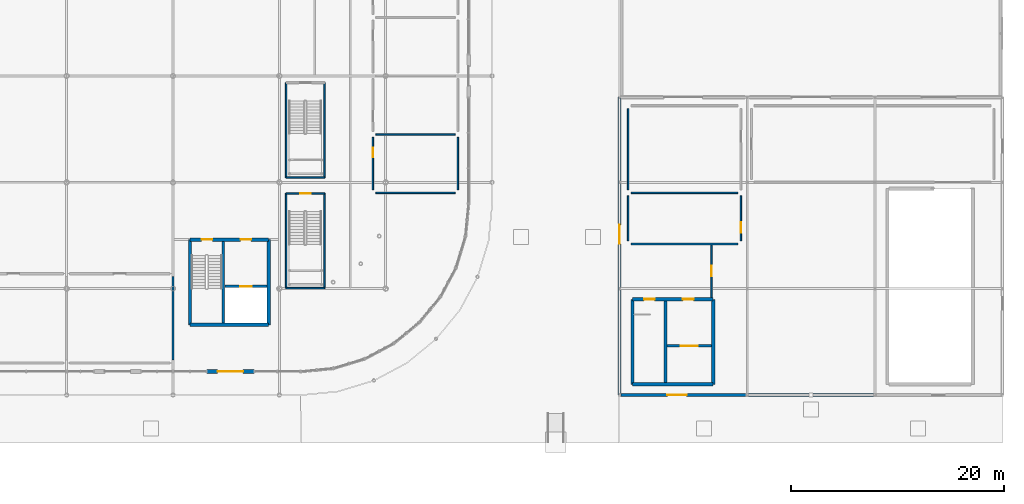
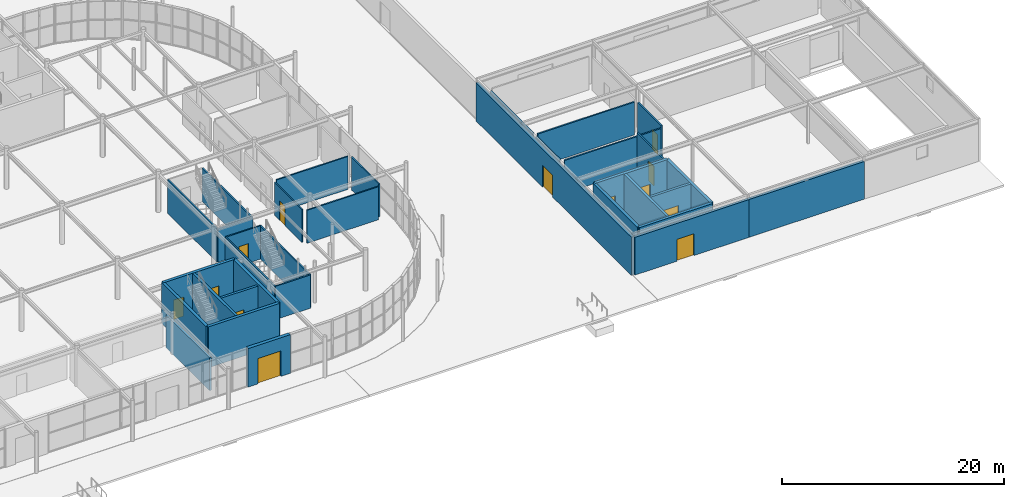
# One storey, part 93 of 119: 34 walls, 13 doors, 13 openings.
"""IFC4 building model written with IfcOpenShell, lengths in metres."""

from ifc_helpers import new_model, si_unit, derived_unit, direction, frame, frame_2d, origin, place, context, subcontext, project, spatial, rectangle, extrude, material, layer, layer_set, type_object, element, fill, save


model = new_model("IFC4")

# Units and contexts
model_context = context("Model", 3, precision=1e-05, world=origin(), true_north=direction((0.0, 1.0)))
body_context = subcontext(model_context, "Body", "Model", "MODEL_VIEW")
ifc_project = project(units=[si_unit("LENGTHUNIT", "METRE"), si_unit("AREAUNIT", "SQUARE_METRE"), si_unit("VOLUMEUNIT", "CUBIC_METRE"), si_unit("PLANEANGLEUNIT", "RADIAN"), si_unit("MASSUNIT", "GRAM", prefix="KILO"), derived_unit("THERMALTRANSMITTANCEUNIT", [(si_unit("POWERUNIT", "WATT"), 1), (si_unit("LENGTHUNIT", "METRE"), -2), (si_unit("THERMODYNAMICTEMPERATUREUNIT", "KELVIN"), -1)])], contexts=[model_context])

# Site, building, storey
site_placement = place(None, origin())
site = spatial("IfcSite", under=ifc_project, at=site_placement, CompositionType="ELEMENT")
building_placement = place(site_placement, origin())
building = spatial("IfcBuilding", under=site, at=building_placement, Name="Cinnabar Yard Market Hall", CompositionType="ELEMENT")
storey_placement = place(building_placement, origin())
storey = spatial("IfcBuildingStorey", under=building, at=storey_placement, Name="L00", CompositionType="ELEMENT", Elevation=0.0)

# Walls
ifc_material_1 = material(Name="Moisture-resistant tiled service wall")
ifc_layer_1 = layer(ifc_material_1, 0.139892578125)
ifc_layer_set_1 = layer_set([ifc_layer_1], Name="Moisture-resistant tiled service wall")
wall_type_1 = type_object("IfcWallType", Name="WL-PT140", PredefinedType="PLUMBINGWALL", material=ifc_layer_set_1)
wall_1_placement = place(storey_placement, frame((155.080078125, 33.0, 0.0), z_axis=(0.0, 0.0, 1.0), x_axis=(1.0, 0.0, 0.0)))
element("IfcWall", 1, at=wall_1_placement, inside=storey, type_object=wall_type_1, Name="Partition Market Hall Male WC south", PredefinedType="PLUMBINGWALL", context=body_context, shape_type="SweptSolid", body=[
    extrude(rectangle(XDim=7.43994140625, YDim=0.139892578125, at=frame_2d((3.719970703125, 0.0), x_axis=(1.0, 0.0))), origin(), (0.0, 0.0, 1.0), 3.6201171875),
])
wall_2_placement = place(storey_placement, frame((162.800048828125, 33.280029296875, 0.0), z_axis=(0.0, 0.0, 1.0), x_axis=(0.0, 1.0, 0.0)))
element("IfcWall", 2, at=wall_2_placement, inside=storey, type_object=wall_type_1, Name="Partition Market Hall Male WC east", PredefinedType="PLUMBINGWALL", context=body_context, shape_type="SweptSolid", body=[
    extrude(rectangle(XDim=4.93994140625, YDim=0.139892578125, at=frame_2d((2.469970703125, 0.0), x_axis=(1.0, 0.0))), origin(), (0.0, 0.0, 1.0), 3.6201171875),
])
wall_3_placement = place(storey_placement, frame((162.52001953125, 38.5, 0.0), z_axis=(0.0, 0.0, 1.0), x_axis=(-1.0, 0.0, 0.0)))
element("IfcWall", 3, at=wall_3_placement, inside=storey, type_object=wall_type_1, Name="Partition Market Hall Male WC north", PredefinedType="PLUMBINGWALL", context=body_context, shape_type="SweptSolid", body=[
    extrude(rectangle(XDim=7.43994140625, YDim=0.139892578125, at=frame_2d((3.719970703125, 0.0), x_axis=(1.0, 0.0))), origin(), (0.0, 0.0, 1.0), 3.6201171875),
])

# Wall, opening, door
wall_4_placement = place(storey_placement, frame((154.800048828125, 38.219970703125, 0.0), z_axis=(0.0, 0.0, 1.0), x_axis=(0.0, -1.0, 0.0)))
wall_4 = element("IfcWall", 4, at=wall_4_placement, inside=storey, type_object=wall_type_1, Name="Partition Market Hall Male WC west", PredefinedType="PLUMBINGWALL", context=body_context, shape_type="SweptSolid", body=[
    extrude(rectangle(XDim=4.93994140625, YDim=0.139892578125, at=frame_2d((2.469970703125, 0.0), x_axis=(1.0, 0.0))), origin(), (0.0, 0.0, 1.0), 3.6201171875),
])
opening_1_placement = place(wall_4_placement, frame((0.96484375, 0.0, 0.0)))
opening_1 = element("IfcOpeningElement", 5, at=opening_1_placement, cuts=wall_4, Name="Opening ID-121", PredefinedType="OPENING", context=body_context, shape_type="SweptSolid", body=[
    extrude(rectangle(XDim=0.919921875, YDim=2.14990234375, at=frame_2d((0.4599609375, 1.074951171875), x_axis=(1.0, 0.0))), frame((0.0, 0.079833984375, 0.0), z_axis=(0.0, -1.0, 0.0), x_axis=(1.0, 0.0, 0.0)), (0.0, 0.0, 1.0), 0.159912109375),
])
ifc_material_2 = material(Name="Solid-core spotted gum timber", Category="wood")
door_type_1 = type_object("IfcDoorType", Name="DR-D07", OperationType="NOTDEFINED", PredefinedType="DOOR", material=ifc_material_2)
door_1_placement = place(opening_1_placement, origin())
door_1 = element("IfcDoor", 6, at=door_1_placement, inside=storey, type_object=door_type_1, Name="Interior Door ID-121", OperationType="SINGLE_SWING_RIGHT", OverallHeight=2.14990234375, OverallWidth=0.919921875, PredefinedType="DOOR", context=body_context, shape_type="SweptSolid", body=[
    extrude(rectangle(XDim=0.919921875, YDim=2.14990234375, at=frame_2d((0.4599609375, 1.074951171875), x_axis=(1.0, 0.0))), frame((0.0, 0.02490234375, 0.0), z_axis=(0.0, -1.0, 0.0), x_axis=(1.0, 0.0, 0.0)), (0.0, 0.0, 1.0), 0.050048828125),
])
fill(opening_1, door_1)

# Walls
ifc_material_3 = material(Name="Fire-rated steel-stud plasterboard", Category="steel")
ifc_layer_2 = layer(ifc_material_3, 0.14990234375)
ifc_layer_set_2 = layer_set([ifc_layer_2], Name="Fire-rated steel-stud plasterboard")
wall_type_2 = type_object("IfcWallType", Name="WL-PT150", PredefinedType="PARTITIONING", material=ifc_layer_set_2)
for number, where, z_axis, x_axis, name in (
    (7, (146.639892578125, 43.360107421875, 0.0), (0.0, 0.0, 1.0), (0.0, -1.0, 0.0), "Stair ST-F2 Shaft Wall W L00"),
    (8, (150.260009765625, 34.43994140625, 0.0), (0.0, 0.0, 1.0), (0.0, 1.0, 0.0), "Stair ST-F2 Shaft Wall E L00"),
):
    element("IfcWall", number, at=place(storey_placement, frame(where, z_axis=z_axis, x_axis=x_axis)), inside=storey, type_object=wall_type_2, Name=name, PredefinedType="PARTITIONING", context=body_context, shape_type="SweptSolid", body=[
        extrude(rectangle(XDim=8.920166015625, YDim=0.14990234375, at=frame_2d((4.4599609375, 0.0), x_axis=(1.0, 0.0))), origin(), (0.0, 0.0, 1.0), 3.659912109375),
    ])
wall_5_placement = place(storey_placement, frame((146.639892578125, 34.43994140625, 0.0), z_axis=(0.0, 0.0, 1.0), x_axis=(1.0, 0.0, 0.0)))
element("IfcWall", 9, at=wall_5_placement, inside=storey, type_object=wall_type_2, Name="Stair ST-F2 Shaft Wall S L00", PredefinedType="PARTITIONING", context=body_context, shape_type="SweptSolid", body=[
    extrude(rectangle(XDim=3.6201171875, YDim=0.14990234375, at=frame_2d((1.81005859375, 0.0), x_axis=(1.0, 0.0))), origin(), (0.0, 0.0, 1.0), 3.659912109375),
])
for number, where, z_axis, x_axis, name in (
    (10, (146.639892578125, 32.9599609375, 0.0), (0.0, 0.0, 1.0), (0.0, -1.0, 0.0), "Stair ST-F5 Shaft Wall W L00"),
    (11, (150.260009765625, 24.0400390625, 0.0), (0.0, 0.0, 1.0), (0.0, 1.0, 0.0), "Stair ST-F5 Shaft Wall E L00"),
):
    element("IfcWall", number, at=place(storey_placement, frame(where, z_axis=z_axis, x_axis=x_axis)), inside=storey, type_object=wall_type_2, Name=name, PredefinedType="PARTITIONING", context=body_context, shape_type="SweptSolid", body=[
        extrude(rectangle(XDim=8.919921875, YDim=0.14990234375, at=frame_2d((4.4599609375, 0.0), x_axis=(1.0, 0.0))), origin(), (0.0, 0.0, 1.0), 3.659912109375),
    ])
wall_6_placement = place(storey_placement, frame((146.639892578125, 24.0400390625, 0.0), z_axis=(0.0, 0.0, 1.0), x_axis=(1.0, 0.0, 0.0)))
element("IfcWall", 12, at=wall_6_placement, inside=storey, type_object=wall_type_2, Name="Stair ST-F5 Shaft Wall S L00", PredefinedType="PARTITIONING", context=body_context, shape_type="SweptSolid", body=[
    extrude(rectangle(XDim=3.6201171875, YDim=0.14990234375, at=frame_2d((1.81005859375, 0.0), x_axis=(1.0, 0.0))), origin(), (0.0, 0.0, 1.0), 3.659912109375),
])

# Wall, opening, door
wall_7_placement = place(storey_placement, frame((150.260009765625, 32.9599609375, 0.0), z_axis=(0.0, 0.0, 1.0), x_axis=(-1.0, 0.0, 0.0)))
wall_7 = element("IfcWall", 13, at=wall_7_placement, inside=storey, type_object=wall_type_2, Name="Stair ST-F5 Shaft Wall N L00", PredefinedType="PARTITIONING", context=body_context, shape_type="SweptSolid", body=[
    extrude(rectangle(XDim=3.6201171875, YDim=0.14990234375, at=frame_2d((1.81005859375, 0.0), x_axis=(1.0, 0.0))), origin(), (0.0, 0.0, 1.0), 3.659912109375),
])
opening_2_placement = place(wall_7_placement, frame((1.31005859375, 0.0, 0.0)))
opening_2 = element("IfcOpeningElement", 14, at=opening_2_placement, cuts=wall_7, Name="Opening CD-078", PredefinedType="OPENING", context=body_context, shape_type="SweptSolid", body=[
    extrude(rectangle(XDim=1.0, YDim=2.14990234375, at=frame_2d((0.5, 1.074951171875), x_axis=(1.0, 0.0))), frame((0.0, 0.0849609375, 0.0), z_axis=(0.0, -1.0, 0.0), x_axis=(1.0, 0.0, 0.0)), (0.0, 0.0, 1.0), 0.169921875),
])
door_type_2 = type_object("IfcDoorType", Name="DR-D05", OperationType="NOTDEFINED", PredefinedType="DOOR", material=ifc_material_2)
door_2_placement = place(opening_2_placement, origin())
door_2 = element("IfcDoor", 15, at=door_2_placement, inside=storey, type_object=door_type_2, Name="Stair Door CD-078", OperationType="SINGLE_SWING_LEFT", OverallHeight=2.14990234375, OverallWidth=1.0, PredefinedType="DOOR", context=body_context, shape_type="SweptSolid", body=[
    extrude(rectangle(XDim=1.0, YDim=2.14990234375, at=frame_2d((0.5, 1.074951171875), x_axis=(1.0, 0.0))), frame((0.0, 0.02490234375, 0.0), z_axis=(0.0, -1.0, 0.0), x_axis=(1.0, 0.0, 0.0)), (0.0, 0.0, 1.0), 0.050048828125),
])
fill(opening_2, door_2)

wall_8_placement = place(storey_placement, frame((186.64990234375, 23.179931640625, 0.0), z_axis=(0.0, 0.0, 1.0), x_axis=(0.0, 1.0, 0.0)))
wall_8 = element("IfcWall", 16, at=wall_8_placement, inside=storey, type_object=wall_type_2, Name="Protected Exit Lobby C8 E", PredefinedType="PARTITIONING", context=body_context, shape_type="SweptSolid", body=[
    extrude(rectangle(XDim=4.920166015625, YDim=0.14990234375, at=frame_2d((2.4599609375, 0.0), x_axis=(1.0, 0.0))), origin(), (0.0, 0.0, 1.0), 4.080078125),
])
opening_3_placement = place(wall_8_placement, frame((1.9599609375, 0.0, 0.0)))
opening_3 = element("IfcOpeningElement", 17, at=opening_3_placement, cuts=wall_8, Name="Opening CD-089", PredefinedType="OPENING", context=body_context, shape_type="SweptSolid", body=[
    extrude(rectangle(XDim=1.0, YDim=2.14990234375, at=frame_2d((0.5, 1.074951171875), x_axis=(1.0, 0.0))), frame((0.0, 0.0849609375, 0.0), z_axis=(0.0, -1.0, 0.0), x_axis=(1.0, 0.0, 0.0)), (0.0, 0.0, 1.0), 0.169921875),
])
door_3_placement = place(opening_3_placement, origin())
door_3 = element("IfcDoor", 18, at=door_3_placement, inside=storey, type_object=door_type_2, Name="Exit Lobby Door CD-089", OperationType="SINGLE_SWING_RIGHT", OverallHeight=2.14990234375, OverallWidth=1.0, PredefinedType="DOOR", context=body_context, shape_type="SweptSolid", body=[
    extrude(rectangle(XDim=1.0, YDim=2.14990234375, at=frame_2d((0.5, 1.074951171875), x_axis=(1.0, 0.0))), frame((0.0, 0.02490234375, 0.0), z_axis=(0.0, -1.0, 0.0), x_axis=(1.0, 0.0, 0.0)), (0.0, 0.0, 1.0), 0.050048828125),
])
fill(opening_3, door_3)

# Wall
wall_9_placement = place(storey_placement, frame((179.080078125, 28.199951171875, 0.0), z_axis=(0.0, 0.0, 1.0), x_axis=(1.0, 0.0, 0.0)))
element("IfcWall", 19, at=wall_9_placement, inside=storey, type_object=wall_type_2, Name="Partition Cold-Chain Dispatch Airlock south", PredefinedType="PARTITIONING", context=body_context, shape_type="SweptSolid", body=[
    extrude(rectangle(XDim=10.0400390625, YDim=0.14990234375, at=frame_2d((5.02001953125, 0.0), x_axis=(1.0, 0.0))), origin(), (0.0, 0.0, 1.0), 3.6201171875),
])

# Wall, opening, door
wall_10_placement = place(storey_placement, frame((189.39990234375, 28.47998046875, 0.0), z_axis=(0.0, 0.0, 1.0), x_axis=(0.0, 1.0, 0.0)))
wall_10 = element("IfcWall", 20, at=wall_10_placement, inside=storey, type_object=wall_type_2, Name="Partition Cold-Chain Dispatch Airlock east", PredefinedType="PARTITIONING", context=body_context, shape_type="SweptSolid", body=[
    extrude(rectangle(XDim=4.239990234375, YDim=0.14990234375, at=frame_2d((2.1201171875, 0.0), x_axis=(1.0, 0.0))), origin(), (0.0, 0.0, 1.0), 3.6201171875),
])
opening_4_placement = place(wall_10_placement, frame((0.777587890625, 0.0, 0.0)))
opening_4 = element("IfcOpeningElement", 21, at=opening_4_placement, cuts=wall_10, Name="Opening ID-140", PredefinedType="OPENING", context=body_context, shape_type="SweptSolid", body=[
    extrude(rectangle(XDim=1.0, YDim=2.14990234375, at=frame_2d((0.5, 1.074951171875), x_axis=(1.0, 0.0))), frame((0.0, 0.0849609375, 0.0), z_axis=(0.0, -1.0, 0.0), x_axis=(1.0, 0.0, 0.0)), (0.0, 0.0, 1.0), 0.169921875),
])
door_4_placement = place(opening_4_placement, origin())
door_4 = element("IfcDoor", 22, at=door_4_placement, inside=storey, type_object=door_type_2, Name="Interior Door ID-140", OperationType="SINGLE_SWING_LEFT", OverallHeight=2.14990234375, OverallWidth=1.0, PredefinedType="DOOR", context=body_context, shape_type="SweptSolid", body=[
    extrude(rectangle(XDim=1.0, YDim=2.14990234375, at=frame_2d((0.5, 1.074951171875), x_axis=(1.0, 0.0))), frame((0.0, 0.02490234375, 0.0), z_axis=(0.0, -1.0, 0.0), x_axis=(1.0, 0.0, 0.0)), (0.0, 0.0, 1.0), 0.050048828125),
])
fill(opening_4, door_4)

# Walls
wall_11_placement = place(storey_placement, frame((189.1201171875, 33.0, 0.0), z_axis=(0.0, 0.0, 1.0), x_axis=(-1.0, 0.0, 0.0)))
element("IfcWall", 23, at=wall_11_placement, inside=storey, type_object=wall_type_2, Name="Partition Cold-Chain Dispatch Airlock north", PredefinedType="PARTITIONING", context=body_context, shape_type="SweptSolid", body=[
    extrude(rectangle(XDim=10.0400390625, YDim=0.14990234375, at=frame_2d((5.02001953125, 0.0), x_axis=(1.0, 0.0))), origin(), (0.0, 0.0, 1.0), 3.6201171875),
])
wall_12_placement = place(storey_placement, frame((178.800048828125, 32.719970703125, 0.0), z_axis=(0.0, 0.0, 1.0), x_axis=(0.0, -1.0, 0.0)))
element("IfcWall", 24, at=wall_12_placement, inside=storey, type_object=wall_type_2, Name="Partition Cold-Chain Dispatch Airlock west", PredefinedType="PARTITIONING", context=body_context, shape_type="SweptSolid", body=[
    extrude(rectangle(XDim=4.239990234375, YDim=0.14990234375, at=frame_2d((2.1201171875, 0.0), x_axis=(1.0, 0.0))), origin(), (0.0, 0.0, 1.0), 3.6201171875),
])
wall_13_placement = place(storey_placement, frame((178.800048828125, 40.919921875, 0.0), z_axis=(0.0, 0.0, 1.0), x_axis=(0.0, -1.0, 0.0)))
element("IfcWall", 25, at=wall_13_placement, inside=storey, type_object=wall_type_2, Name="Partition Organic Compactor and Recycling Room west", PredefinedType="PARTITIONING", context=body_context, shape_type="SweptSolid", body=[
    extrude(rectangle(XDim=7.639892578125, YDim=0.14990234375, at=frame_2d((3.81982421875, 0.0), x_axis=(1.0, 0.0))), origin(), (0.0, 0.0, 1.0), 3.6201171875),
])
ifc_material_4 = material(Name="Demountable timber-framed stall partition", Category="wood")
ifc_layer_3 = layer(ifc_material_4, 0.199951171875)
ifc_layer_set_3 = layer_set([ifc_layer_3], Name="Demountable timber-framed stall partition")
wall_type_3 = type_object("IfcWallType", Name="WL-PT200", PredefinedType="MOVABLE", material=ifc_layer_set_3)
wall_14_placement = place(storey_placement, frame((136.0, 17.280029296875, 0.0), z_axis=(0.0, 0.0, 1.0), x_axis=(0.0, 1.0, 0.0)))
element("IfcWall", 26, at=wall_14_placement, inside=storey, type_object=wall_type_3, Name="Partition Butchery and Poultry Stall 04 east", PredefinedType="MOVABLE", context=body_context, shape_type="SweptSolid", body=[
    extrude(rectangle(XDim=7.840087890625, YDim=0.199951171875, at=frame_2d((3.919921875, 0.0), x_axis=(1.0, 0.0))), origin(), (0.0, 0.0, 1.0), 3.6201171875),
])
ifc_material_5 = material(Name="Concrete 40 MPa", Category="concrete")
ifc_layer_4 = layer(ifc_material_5, 0.300048828125)
ifc_layer_set_4 = layer_set([ifc_layer_4], Name="Concrete 40 MPa")
wall_type_4 = type_object("IfcWallType", Name="WL-W-CORE", PredefinedType="SHEAR", material=ifc_layer_set_4)
for number, where, z_axis, x_axis, name in (
    (27, (137.60009765625, 28.60009765625, 0.0), (0.0, 0.0, 1.0), (0.0, -1.0, 0.0), "Core C2 West Shear Wall L00"),
    (28, (145.0, 20.60009765625, 0.0), (0.0, 0.0, 1.0), (0.0, 1.0, 0.0), "Core C2 East Shear Wall L00"),
):
    element("IfcWall", number, at=place(storey_placement, frame(where, z_axis=z_axis, x_axis=x_axis)), inside=storey, type_object=wall_type_4, Name=name, PredefinedType="SHEAR", context=body_context, shape_type="SweptSolid", body=[
        extrude(rectangle(XDim=8.0, YDim=0.300048828125, at=frame_2d((4.0, 0.0), x_axis=(1.0, 0.0))), origin(), (0.0, 0.0, 1.0), 4.5),
    ])
wall_15_placement = place(storey_placement, frame((137.60009765625, 20.60009765625, 0.0), z_axis=(0.0, 0.0, 1.0), x_axis=(1.0, 0.0, 0.0)))
element("IfcWall", 29, at=wall_15_placement, inside=storey, type_object=wall_type_4, Name="Core C2 South Shear Wall L00", PredefinedType="SHEAR", context=body_context, shape_type="SweptSolid", body=[
    extrude(rectangle(XDim=7.39990234375, YDim=0.300048828125, at=frame_2d((3.699951171875, 0.0), x_axis=(1.0, 0.0))), origin(), (0.0, 0.0, 1.0), 4.5),
])

# Wall, openings, doors
wall_16_placement = place(storey_placement, frame((145.0, 28.60009765625, 0.0), z_axis=(0.0, 0.0, 1.0), x_axis=(-1.0, 0.0, 0.0)))
wall_16 = element("IfcWall", 30, at=wall_16_placement, inside=storey, type_object=wall_type_4, Name="Core C2 North Shear Wall L00", PredefinedType="SHEAR", context=body_context, shape_type="SweptSolid", body=[
    extrude(rectangle(XDim=7.39990234375, YDim=0.300048828125, at=frame_2d((3.699951171875, 0.0), x_axis=(1.0, 0.0))), origin(), (0.0, 0.0, 1.0), 4.5),
])
opening_5_placement = place(wall_16_placement, frame((1.64990234375, 0.0, 0.0)))
opening_5 = element("IfcOpeningElement", 31, at=opening_5_placement, cuts=wall_16, Name="Opening CD-011", PredefinedType="OPENING", context=body_context, shape_type="SweptSolid", body=[
    extrude(rectangle(XDim=1.0, YDim=2.14990234375, at=frame_2d((0.5, 1.074951171875), x_axis=(1.0, 0.0))), frame((0.0, 0.159912109375, 0.0), z_axis=(0.0, -1.0, 0.0), x_axis=(1.0, 0.0, 0.0)), (0.0, 0.0, 1.0), 0.320068359375),
])
opening_6_placement = place(wall_16_placement, frame((5.300048828125, 0.0, 0.0)))
opening_6 = element("IfcOpeningElement", 32, at=opening_6_placement, cuts=wall_16, Name="Opening CD-012", PredefinedType="OPENING", context=body_context, shape_type="SweptSolid", body=[
    extrude(rectangle(XDim=1.0, YDim=2.14990234375, at=frame_2d((0.5, 1.074951171875), x_axis=(1.0, 0.0))), frame((0.0, 0.159912109375, 0.0), z_axis=(0.0, -1.0, 0.0), x_axis=(1.0, 0.0, 0.0)), (0.0, 0.0, 1.0), 0.320068359375),
])
door_5_placement = place(opening_5_placement, origin())
door_5 = element("IfcDoor", 33, at=door_5_placement, inside=storey, type_object=door_type_2, Name="Core Door CD-011", OperationType="SINGLE_SWING_RIGHT", OverallHeight=2.14990234375, OverallWidth=1.0, PredefinedType="DOOR", context=body_context, shape_type="SweptSolid", body=[
    extrude(rectangle(XDim=1.0, YDim=2.14990234375, at=frame_2d((0.5, 1.074951171875), x_axis=(1.0, 0.0))), frame((0.0, 0.02490234375, 0.0), z_axis=(0.0, -1.0, 0.0), x_axis=(1.0, 0.0, 0.0)), (0.0, 0.0, 1.0), 0.050048828125),
])
fill(opening_5, door_5)
door_6_placement = place(opening_6_placement, origin())
door_6 = element("IfcDoor", 34, at=door_6_placement, inside=storey, type_object=door_type_2, Name="Core Door CD-012", OperationType="SINGLE_SWING_LEFT", OverallHeight=2.14990234375, OverallWidth=1.0, PredefinedType="DOOR", context=body_context, shape_type="SweptSolid", body=[
    extrude(rectangle(XDim=1.0, YDim=2.14990234375, at=frame_2d((0.5, 1.074951171875), x_axis=(1.0, 0.0))), frame((0.0, 0.02490234375, 0.0), z_axis=(0.0, -1.0, 0.0), x_axis=(1.0, 0.0, 0.0)), (0.0, 0.0, 1.0), 0.050048828125),
])
fill(opening_6, door_6)

# Walls
for number, where, z_axis, x_axis, name in (
    (35, (179.199951171875, 23.0, 0.0), (0.0, 0.0, 1.0), (0.0, -1.0, 0.0), "Core C8 West Shear Wall L00"),
    (36, (186.800048828125, 15.0, 0.0), (0.0, 0.0, 1.0), (0.0, 1.0, 0.0), "Core C8 East Shear Wall L00"),
):
    element("IfcWall", number, at=place(storey_placement, frame(where, z_axis=z_axis, x_axis=x_axis)), inside=storey, type_object=wall_type_4, Name=name, PredefinedType="SHEAR", context=body_context, shape_type="SweptSolid", body=[
        extrude(rectangle(XDim=8.0, YDim=0.300048828125, at=frame_2d((4.0, 0.0), x_axis=(1.0, 0.0))), origin(), (0.0, 0.0, 1.0), 4.239990234375),
    ])
wall_17_placement = place(storey_placement, frame((179.199951171875, 15.0, 0.0), z_axis=(0.0, 0.0, 1.0), x_axis=(1.0, 0.0, 0.0)))
element("IfcWall", 37, at=wall_17_placement, inside=storey, type_object=wall_type_4, Name="Core C8 South Shear Wall L00", PredefinedType="SHEAR", context=body_context, shape_type="SweptSolid", body=[
    extrude(rectangle(XDim=7.60009765625, YDim=0.300048828125, at=frame_2d((3.800048828125, 0.0), x_axis=(1.0, 0.0))), origin(), (0.0, 0.0, 1.0), 4.239990234375),
])

# Wall, openings, doors
wall_18_placement = place(storey_placement, frame((186.800048828125, 23.0, 0.0), z_axis=(0.0, 0.0, 1.0), x_axis=(-1.0, 0.0, 0.0)))
wall_18 = element("IfcWall", 38, at=wall_18_placement, inside=storey, type_object=wall_type_4, Name="Core C8 North Shear Wall L00", PredefinedType="SHEAR", context=body_context, shape_type="SweptSolid", body=[
    extrude(rectangle(XDim=7.60009765625, YDim=0.300048828125, at=frame_2d((3.800048828125, 0.0), x_axis=(1.0, 0.0))), origin(), (0.0, 0.0, 1.0), 4.239990234375),
])
opening_7_placement = place(wall_18_placement, frame((1.85009765625, 0.0, 0.0)))
opening_7 = element("IfcOpeningElement", 39, at=opening_7_placement, cuts=wall_18, Name="Opening CD-063", PredefinedType="OPENING", context=body_context, shape_type="SweptSolid", body=[
    extrude(rectangle(XDim=1.0, YDim=2.14990234375, at=frame_2d((0.5, 1.074951171875), x_axis=(1.0, 0.0))), frame((0.0, 0.159912109375, 0.0), z_axis=(0.0, -1.0, 0.0), x_axis=(1.0, 0.0, 0.0)), (0.0, 0.0, 1.0), 0.320068359375),
])
opening_8_placement = place(wall_18_placement, frame((5.5, 0.0, 0.0)))
opening_8 = element("IfcOpeningElement", 40, at=opening_8_placement, cuts=wall_18, Name="Opening CD-064", PredefinedType="OPENING", context=body_context, shape_type="SweptSolid", body=[
    extrude(rectangle(XDim=1.0, YDim=2.14990234375, at=frame_2d((0.5, 1.074951171875), x_axis=(1.0, 0.0))), frame((0.0, 0.159912109375, 0.0), z_axis=(0.0, -1.0, 0.0), x_axis=(1.0, 0.0, 0.0)), (0.0, 0.0, 1.0), 0.320068359375),
])
door_7_placement = place(opening_7_placement, origin())
door_7 = element("IfcDoor", 41, at=door_7_placement, inside=storey, type_object=door_type_2, Name="Core Door CD-063", OperationType="SINGLE_SWING_RIGHT", OverallHeight=2.14990234375, OverallWidth=1.0, PredefinedType="DOOR", context=body_context, shape_type="SweptSolid", body=[
    extrude(rectangle(XDim=1.0, YDim=2.14990234375, at=frame_2d((0.5, 1.074951171875), x_axis=(1.0, 0.0))), frame((0.0, 0.02490234375, 0.0), z_axis=(0.0, -1.0, 0.0), x_axis=(1.0, 0.0, 0.0)), (0.0, 0.0, 1.0), 0.050048828125),
])
fill(opening_7, door_7)
door_8_placement = place(opening_8_placement, origin())
door_8 = element("IfcDoor", 42, at=door_8_placement, inside=storey, type_object=door_type_2, Name="Core Door CD-064", OperationType="SINGLE_SWING_LEFT", OverallHeight=2.14990234375, OverallWidth=1.0, PredefinedType="DOOR", context=body_context, shape_type="SweptSolid", body=[
    extrude(rectangle(XDim=1.0, YDim=2.14990234375, at=frame_2d((0.5, 1.074951171875), x_axis=(1.0, 0.0))), frame((0.0, 0.02490234375, 0.0), z_axis=(0.0, -1.0, 0.0), x_axis=(1.0, 0.0, 0.0)), (0.0, 0.0, 1.0), 0.050048828125),
])
fill(opening_8, door_8)

# Wall, opening, door
ifc_material_6 = material(Name="Red sandstone ashlar over Concrete 32 MPa", Category="masonry")
ifc_layer_5 = layer(ifc_material_6, 0.35009765625)
ifc_layer_set_5 = layer_set([ifc_layer_5], Name="Red sandstone ashlar over Concrete 32 MPa")
wall_type_5 = type_object("IfcWallType", Name="WL-W-EXT1", PredefinedType="SOLIDWALL", material=ifc_layer_set_5)
wall_19_placement = place(storey_placement, frame((139.199951171875, 16.199951171875, 0.0), z_axis=(0.0, 0.0, 1.0), x_axis=(1.0, 0.0, 0.0)))
wall_19 = element("IfcWall", 43, at=wall_19_placement, inside=storey, type_object=wall_type_5, Name="Market Hall South Portal PTE", PredefinedType="SOLIDWALL", context=body_context, shape_type="SweptSolid", body=[
    extrude(rectangle(XDim=4.400146484375, YDim=0.35009765625, at=frame_2d((2.2001953125, 0.0), x_axis=(1.0, 0.0))), origin(), (0.0, 0.0, 1.0), 4.239990234375),
])
opening_9_placement = place(wall_19_placement, frame((1.0, 0.0, 0.0)))
opening_9 = element("IfcOpeningElement", 44, at=opening_9_placement, cuts=wall_19, Name="Opening ED-009", PredefinedType="OPENING", context=body_context, shape_type="SweptSolid", body=[
    extrude(rectangle(XDim=2.39990234375, YDim=2.800048828125, at=frame_2d((1.199951171875, 1.39990234375), x_axis=(1.0, 0.0))), frame((0.0, 0.18505859375, 0.0), z_axis=(0.0, -1.0, 0.0), x_axis=(1.0, 0.0, 0.0)), (0.0, 0.0, 1.0), 0.3701171875),
])
ifc_material_7 = material(Name="Anodised bronze aluminium and toughened glass", Category="aluminium")
door_type_3 = type_object("IfcDoorType", Name="DR-D02", OperationType="NOTDEFINED", PredefinedType="DOOR", material=ifc_material_7)
door_9_placement = place(opening_9_placement, origin())
door_9 = element("IfcDoor", 45, at=door_9_placement, inside=storey, type_object=door_type_3, Name="Door ED-009", OperationType="DOUBLE_SWING_LEFT", OverallHeight=2.800048828125, OverallWidth=2.39990234375, PredefinedType="DOOR", context=body_context, shape_type="SweptSolid", body=[
    extrude(rectangle(XDim=2.39990234375, YDim=2.800048828125, at=frame_2d((1.199951171875, 1.39990234375), x_axis=(1.0, 0.0))), frame((0.0, 0.02490234375, 0.0), z_axis=(0.0, -1.0, 0.0), x_axis=(1.0, 0.0, 0.0)), (0.0, 0.0, 1.0), 0.050048828125),
])
fill(opening_9, door_9)

ifc_material_8 = material(Name="Insulated precast Concrete 32 MPa", Category="concrete")
ifc_layer_6 = layer(ifc_material_8, 0.300048828125)
ifc_layer_set_6 = layer_set([ifc_layer_6], Name="Insulated precast Concrete 32 MPa")
wall_type_6 = type_object("IfcWallType", Name="WL-W-EXT3", PredefinedType="SOLIDWALL", material=ifc_layer_set_6)
wall_20_placement = place(storey_placement, frame((178.14990234375, 14.0, 0.0), z_axis=(0.0, 0.0, 1.0), x_axis=(1.0, 0.0, 0.0)))
wall_20 = element("IfcWall", 46, at=wall_20_placement, inside=storey, type_object=wall_type_6, Name="Dock South Wall W", PredefinedType="SOLIDWALL", context=body_context, shape_type="SweptSolid", body=[
    extrude(rectangle(XDim=11.85009765625, YDim=0.300048828125, at=frame_2d((5.925048828125, 0.0), x_axis=(1.0, 0.0))), origin(), (0.0, 0.0, 1.0), 4.14990234375),
])
opening_10_placement = place(wall_20_placement, frame((4.35009765625, 0.0, 0.0)))
opening_10 = element("IfcOpeningElement", 47, at=opening_10_placement, cuts=wall_20, Name="Opening ED-043", PredefinedType="OPENING", context=body_context, shape_type="SweptSolid", body=[
    extrude(rectangle(XDim=1.800048828125, YDim=2.39990234375, at=frame_2d((0.89990234375, 1.199951171875), x_axis=(1.0, 0.0))), frame((0.0, 0.159912109375, 0.0), z_axis=(0.0, -1.0, 0.0), x_axis=(1.0, 0.0, 0.0)), (0.0, 0.0, 1.0), 0.320068359375),
])
ifc_material_9 = material(Name="Powder-coated steel Grade 300 (300 MPa)", Category="steel")
door_type_4 = type_object("IfcDoorType", Name="DR-D03", OperationType="NOTDEFINED", PredefinedType="DOOR", material=ifc_material_9)
door_10_placement = place(opening_10_placement, origin())
door_10 = element("IfcDoor", 48, at=door_10_placement, inside=storey, type_object=door_type_4, Name="Door ED-043", OperationType="DOUBLE_SWING_LEFT", OverallHeight=2.39990234375, OverallWidth=1.800048828125, PredefinedType="DOOR", context=body_context, shape_type="SweptSolid", body=[
    extrude(rectangle(XDim=1.800048828125, YDim=2.39990234375, at=frame_2d((0.89990234375, 1.199951171875), x_axis=(1.0, 0.0))), frame((0.0, 0.02490234375, 0.0), z_axis=(0.0, -1.0, 0.0), x_axis=(1.0, 0.0, 0.0)), (0.0, 0.0, 1.0), 0.050048828125),
])
fill(opening_10, door_10)

# Wall
wall_21_placement = place(storey_placement, frame((190.0, 14.0, 0.0), z_axis=(0.0, 0.0, 1.0), x_axis=(1.0, 0.0, 0.0)))
element("IfcWall", 49, at=wall_21_placement, inside=storey, type_object=wall_type_6, Name="Dock South Braced Wall M", PredefinedType="SOLIDWALL", context=body_context, shape_type="SweptSolid", body=[
    extrude(rectangle(XDim=12.0, YDim=0.300048828125, at=frame_2d((6.0, 0.0), x_axis=(1.0, 0.0))), origin(), (0.0, 0.0, 1.0), 4.14990234375),
])

# Wall, opening, door
wall_22_placement = place(storey_placement, frame((178.0, 42.0, 0.0), z_axis=(0.0, 0.0, 1.0), x_axis=(0.0, -1.0, 0.0)))
wall_22 = element("IfcWall", 50, at=wall_22_placement, inside=storey, type_object=wall_type_6, Name="Dock West Wall", PredefinedType="SOLIDWALL", context=body_context, shape_type="SweptSolid", body=[
    extrude(rectangle(XDim=28.0, YDim=0.300048828125, at=frame_2d((14.0, 0.0), x_axis=(1.0, 0.0))), origin(), (0.0, 0.0, 1.0), 4.179931640625),
])
opening_11_placement = place(wall_22_placement, frame((12.0, 0.0, 0.0)))
opening_11 = element("IfcOpeningElement", 51, at=opening_11_placement, cuts=wall_22, Name="Opening ED-044", PredefinedType="OPENING", context=body_context, shape_type="SweptSolid", body=[
    extrude(rectangle(XDim=1.800048828125, YDim=2.39990234375, at=frame_2d((0.89990234375, 1.199951171875), x_axis=(1.0, 0.0))), frame((0.0, 0.159912109375, 0.0), z_axis=(0.0, -1.0, 0.0), x_axis=(1.0, 0.0, 0.0)), (0.0, 0.0, 1.0), 0.320068359375),
])
door_11_placement = place(opening_11_placement, origin())
door_11 = element("IfcDoor", 52, at=door_11_placement, inside=storey, type_object=door_type_4, Name="Door ED-044", OperationType="DOUBLE_SWING_RIGHT", OverallHeight=2.39990234375, OverallWidth=1.800048828125, PredefinedType="DOOR", context=body_context, shape_type="SweptSolid", body=[
    extrude(rectangle(XDim=1.800048828125, YDim=2.39990234375, at=frame_2d((0.89990234375, 1.199951171875), x_axis=(1.0, 0.0))), frame((0.0, 0.02490234375, 0.0), z_axis=(0.0, -1.0, 0.0), x_axis=(1.0, 0.0, 0.0)), (0.0, 0.0, 1.0), 0.050048828125),
])
fill(opening_11, door_11)

# Wall
ifc_layer_7 = layer(ifc_material_5, 0.25)
ifc_layer_set_7 = layer_set([ifc_layer_7], Name="Concrete 40 MPa")
wall_type_7 = type_object("IfcWallType", Name="WL-W-SHAFT", PredefinedType="SHEAR", material=ifc_layer_set_7)
wall_23_placement = place(storey_placement, frame((140.715087890625, 20.75, 0.0), z_axis=(0.0, 0.0, 1.0), x_axis=(0.0, 1.0, 0.0)))
element("IfcWall", 53, at=wall_23_placement, inside=storey, type_object=wall_type_7, Name="Core C2 Shaft Divider L00", PredefinedType="SHEAR", context=body_context, shape_type="SweptSolid", body=[
    extrude(rectangle(XDim=7.699951171875, YDim=0.25, at=frame_2d((3.85009765625, 0.0), x_axis=(1.0, 0.0))), origin(), (0.0, 0.0, 1.0), 4.5),
])

# Wall, opening, door
wall_24_placement = place(storey_placement, frame((140.8798828125, 24.219970703125, 0.0), z_axis=(0.0, 0.0, 1.0), x_axis=(1.0, 0.0, 0.0)))
wall_24 = element("IfcWall", 54, at=wall_24_placement, inside=storey, type_object=wall_type_7, Name="Core C2 Lift Front Wall L00", PredefinedType="SHEAR", context=body_context, shape_type="SweptSolid", body=[
    extrude(rectangle(XDim=3.97021484375, YDim=0.25, at=frame_2d((1.985107421875, 0.0), x_axis=(1.0, 0.0))), origin(), (0.0, 0.0, 1.0), 4.239990234375),
])
opening_12_placement = place(wall_24_placement, frame((1.43505859375, 0.0, 0.0)))
opening_12 = element("IfcOpeningElement", 55, at=opening_12_placement, cuts=wall_24, Name="Opening LD-LP-01-L00", PredefinedType="OPENING", context=body_context, shape_type="SweptSolid", body=[
    extrude(rectangle(XDim=1.10009765625, YDim=2.14990234375, at=frame_2d((0.550048828125, 1.074951171875), x_axis=(1.0, 0.0))), frame((0.0, 0.135009765625, 0.0), z_axis=(0.0, -1.0, 0.0), x_axis=(1.0, 0.0, 0.0)), (0.0, 0.0, 1.0), 0.27001953125),
])
ifc_material_10 = material(Name="Brushed stainless steel landing door", Category="steel")
door_type_5 = type_object("IfcDoorType", Name="DR-LD01", OperationType="NOTDEFINED", PredefinedType="DOOR", material=ifc_material_10)
door_12_placement = place(opening_12_placement, origin())
door_12 = element("IfcDoor", 56, at=door_12_placement, inside=storey, type_object=door_type_5, Name="Lift Landing Door LD-LP-01-L00", OperationType="SLIDING_TO_LEFT", OverallHeight=2.14990234375, OverallWidth=1.10009765625, PredefinedType="DOOR", context=body_context, shape_type="SweptSolid", body=[
    extrude(rectangle(XDim=1.10009765625, YDim=2.14990234375, at=frame_2d((0.550048828125, 1.074951171875), x_axis=(1.0, 0.0))), frame((0.0, 0.02490234375, 0.0), z_axis=(0.0, -1.0, 0.0), x_axis=(1.0, 0.0, 0.0)), (0.0, 0.0, 1.0), 0.050048828125),
])
fill(opening_12, door_12)

# Wall
wall_25_placement = place(storey_placement, frame((182.31494140625, 15.14990234375, 0.0), z_axis=(0.0, 0.0, 1.0), x_axis=(0.0, 1.0, 0.0)))
element("IfcWall", 57, at=wall_25_placement, inside=storey, type_object=wall_type_7, Name="Core C8 Shaft Divider L00", PredefinedType="SHEAR", context=body_context, shape_type="SweptSolid", body=[
    extrude(rectangle(XDim=7.7001953125, YDim=0.25, at=frame_2d((3.85009765625, 0.0), x_axis=(1.0, 0.0))), origin(), (0.0, 0.0, 1.0), 4.239990234375),
])

# Wall, opening, door
wall_26_placement = place(storey_placement, frame((182.47998046875, 18.6201171875, 0.0), z_axis=(0.0, 0.0, 1.0), x_axis=(1.0, 0.0, 0.0)))
wall_26 = element("IfcWall", 58, at=wall_26_placement, inside=storey, type_object=wall_type_7, Name="Core C8 Lift Front Wall L00", PredefinedType="SHEAR", context=body_context, shape_type="SweptSolid", body=[
    extrude(rectangle(XDim=4.169921875, YDim=0.25, at=frame_2d((2.0849609375, 0.0), x_axis=(1.0, 0.0))), origin(), (0.0, 0.0, 1.0), 4.239990234375),
])
opening_13_placement = place(wall_26_placement, frame((1.284912109375, 0.0, 0.0)))
opening_13 = element("IfcOpeningElement", 59, at=opening_13_placement, cuts=wall_26, Name="Opening LD-LG-02-L00", PredefinedType="OPENING", context=body_context, shape_type="SweptSolid", body=[
    extrude(rectangle(XDim=1.60009765625, YDim=2.300048828125, at=frame_2d((0.800048828125, 1.14990234375), x_axis=(1.0, 0.0))), frame((0.0, 0.135009765625, 0.0), z_axis=(0.0, -1.0, 0.0), x_axis=(1.0, 0.0, 0.0)), (0.0, 0.0, 1.0), 0.27001953125),
])
ifc_material_11 = material(Name="Heavy-duty stainless steel goods landing door", Category="steel")
door_type_6 = type_object("IfcDoorType", Name="DR-LD02", OperationType="NOTDEFINED", PredefinedType="DOOR", material=ifc_material_11)
door_13_placement = place(opening_13_placement, origin())
door_13 = element("IfcDoor", 60, at=door_13_placement, inside=storey, type_object=door_type_6, Name="Lift Landing Door LD-LG-02-L00", OperationType="SLIDING_TO_RIGHT", OverallHeight=2.300048828125, OverallWidth=1.60009765625, PredefinedType="DOOR", context=body_context, shape_type="SweptSolid", body=[
    extrude(rectangle(XDim=1.60009765625, YDim=2.300048828125, at=frame_2d((0.800048828125, 1.14990234375), x_axis=(1.0, 0.0))), frame((0.0, 0.02490234375, 0.0), z_axis=(0.0, -1.0, 0.0), x_axis=(1.0, 0.0, 0.0)), (0.0, 0.0, 1.0), 0.050048828125),
])
fill(opening_13, door_13)

save(model, "model.ifc")
